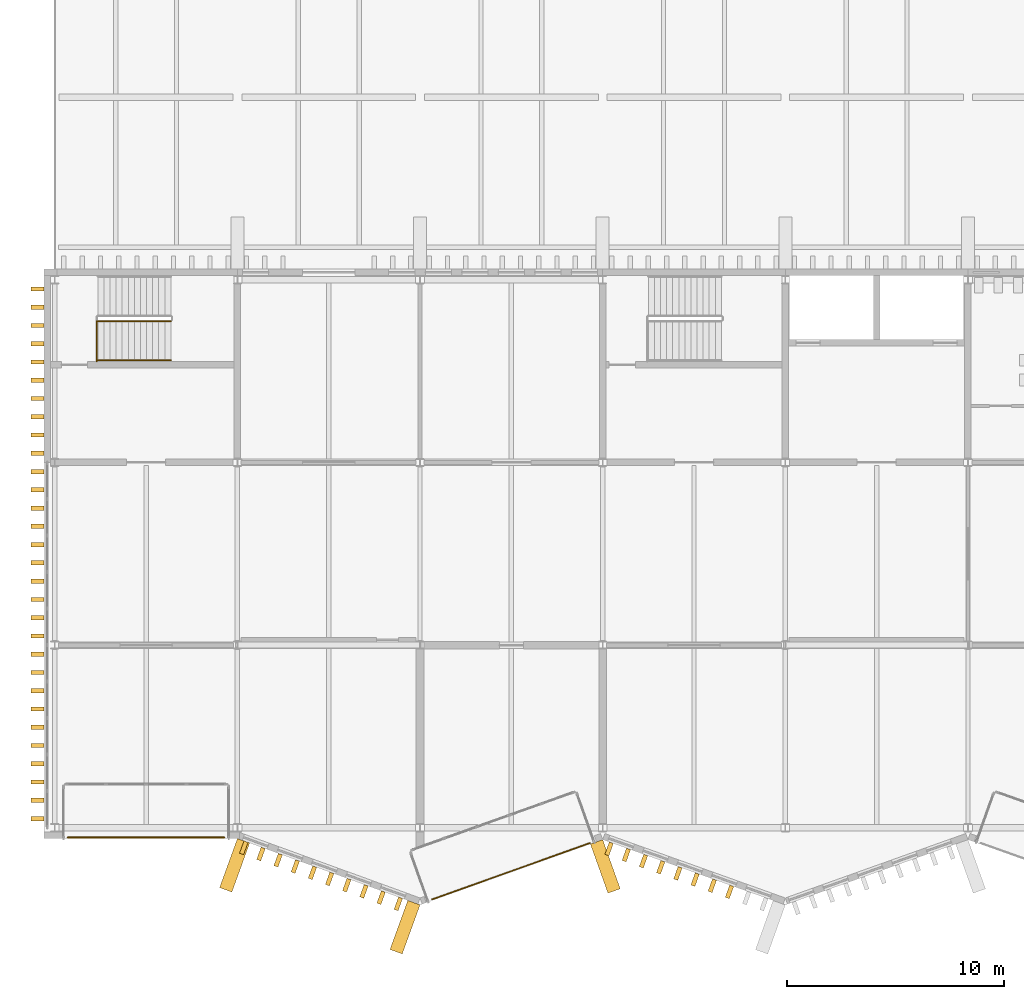
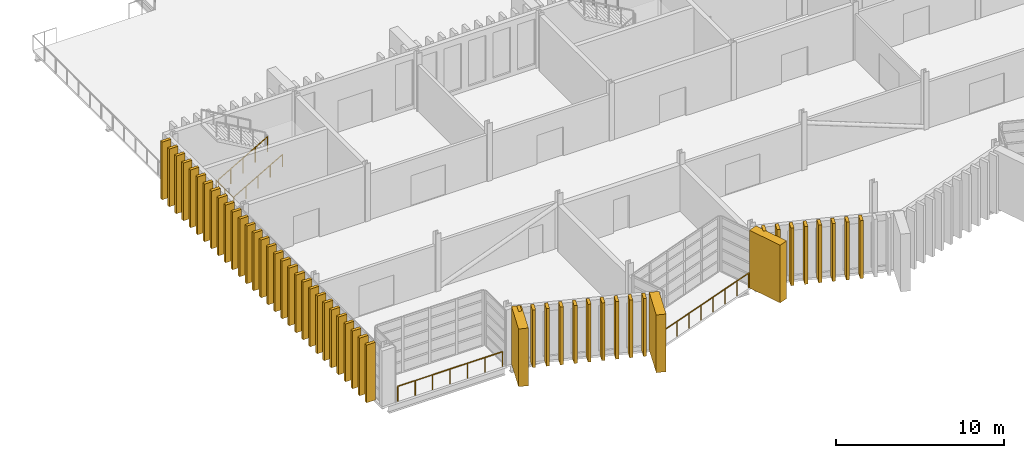
# One storey, part 78 of 96: 51 coverings, 5 railings.
"""IFC4 building model written with IfcOpenShell, lengths in metres."""

from ifc_helpers import new_model, si_unit, direction, frame, origin, origin_2d, place, context, subcontext, project, spatial, rectangle, circle, extrude, material, type_object, element, save


model = new_model("IFC4")

# Units and contexts
model_context = context("Model", 3, precision=1e-05, world=origin(), true_north=direction((0.0, 1.0)))
body_context = subcontext(model_context, "Body", "Model", "MODEL_VIEW")
ifc_project = project(units=[si_unit("LENGTHUNIT", "METRE"), si_unit("AREAUNIT", "SQUARE_METRE"), si_unit("VOLUMEUNIT", "CUBIC_METRE"), si_unit("PLANEANGLEUNIT", "RADIAN"), si_unit("MASSUNIT", "GRAM", prefix="KILO")], contexts=[model_context])

# Site, building, storey
site_placement = place(None, origin())
site = spatial("IfcSite", under=ifc_project, at=site_placement, CompositionType="ELEMENT")
building_placement = place(site_placement, origin())
building = spatial("IfcBuilding", under=site, at=building_placement, Name="Cresset Court Congress Hotel", CompositionType="ELEMENT")
storey_placement = place(building_placement, frame((0.0, 0.0, 6.0)))
storey = spatial("IfcBuildingStorey", under=building, at=storey_placement, Name="L01", CompositionType="ELEMENT", Elevation=6.0)

# Railings
ifc_material_1 = material(Name="Steel and laminated glass", Category="steel")
railing_type_1 = type_object("IfcRailingType", Name="Guard 1100 steel and glass", PredefinedType="GUARDRAIL", material=ifc_material_1)
railing_1_placement = place(storey_placement, frame((10.3798828125, 23.300048828125, 0.16162109375)))
element("IfcRailing", 1, at=railing_1_placement, inside=storey, type_object=railing_type_1, Name="L01 ST-B1 stair guard 1", PredefinedType="GUARDRAIL", context=body_context, shape_type="SweptSolid", body=[
    extrude(circle(Radius=0.02392578125, at=origin_2d()), frame((0.0, 0.0, 1.076171875), z_axis=(0.866190824863, 0.0, 0.499713372768), x_axis=(0.0, 1.0, 0.0)), (0.0, 0.0, 1.0), 3.879150390625),
    extrude(circle(Radius=0.02099609375, at=origin_2d()), origin(), (0.0, 0.0, 1.0), 1.052001953125),
    extrude(circle(Radius=0.02099609375, at=origin_2d()), frame((0.840087890625, 0.0, 0.484619140625)), (0.0, 0.0, 1.0), 1.052001953125),
    extrude(circle(Radius=0.02099609375, at=origin_2d()), frame((1.68017578125, 0.0, 0.96923828125)), (0.0, 0.0, 1.0), 1.052001953125),
    extrude(circle(Radius=0.02099609375, at=origin_2d()), frame((2.52001953125, 0.0, 1.453857421875)), (0.0, 0.0, 1.0), 1.052001953125),
    extrude(circle(Radius=0.02099609375, at=origin_2d()), frame((3.360107421875, 0.0, 1.9384765625)), (0.0, 0.0, 1.0), 1.052001953125),
])
railing_2_placement = place(storey_placement, frame((10.330078125, 21.449951171875, 0.0)))
element("IfcRailing", 2, at=railing_2_placement, inside=storey, type_object=railing_type_1, Name="L01 ST-B1 stair guard 5", PredefinedType="GUARDRAIL", context=body_context, shape_type="SweptSolid", body=[
    extrude(circle(Radius=0.02392578125, at=origin_2d()), frame((0.0, 0.0, 1.076171875), z_axis=(0.0, 1.0, 0.0), x_axis=(-1.0, 0.0, 0.0)), (0.0, 0.0, 1.0), 2.050048828125),
    extrude(circle(Radius=0.02099609375, at=origin_2d()), origin(), (0.0, 0.0, 1.0), 1.052001953125),
    extrude(circle(Radius=0.02099609375, at=origin_2d()), frame((0.0, 1.02490234375, 0.0)), (0.0, 0.0, 1.0), 1.052001953125),
    extrude(circle(Radius=0.02099609375, at=origin_2d()), frame((0.0, 2.050048828125, 0.0)), (0.0, 0.0, 1.0), 1.052001953125),
])
ifc_material_2 = material(Name="Steel and laminated glass", Category="steel")
railing_type_2 = type_object("IfcRailingType", Name="Guard 1100 steel and glass external", PredefinedType="GUARDRAIL", material=ifc_material_2)
railing_3_placement = place(storey_placement, frame((9.0, -0.449951171875, 0.0)))
element("IfcRailing", 3, at=railing_3_placement, inside=storey, type_object=railing_type_2, Name="Guard to recess S0100", PredefinedType="GUARDRAIL", context=body_context, shape_type="SweptSolid", body=[
    extrude(circle(Radius=0.02392578125, at=origin_2d()), frame((0.0, 0.0, 1.076171875), z_axis=(1.0, 0.0, 0.0), x_axis=(0.0, 1.0, 0.0)), (0.0, 0.0, 1.0), 7.199951171875),
    extrude(circle(Radius=0.02099609375, at=origin_2d()), origin(), (0.0, 0.0, 1.0), 1.052001953125),
    extrude(circle(Radius=0.02099609375, at=origin_2d()), frame((1.199951171875, 0.0, 0.0)), (0.0, 0.0, 1.0), 1.052001953125),
    extrude(circle(Radius=0.02099609375, at=origin_2d()), frame((2.39990234375, 0.0, 0.0)), (0.0, 0.0, 1.0), 1.052001953125),
    extrude(circle(Radius=0.02099609375, at=origin_2d()), frame((3.60009765625, 0.0, 0.0)), (0.0, 0.0, 1.0), 1.052001953125),
    extrude(circle(Radius=0.02099609375, at=origin_2d()), frame((4.800048828125, 0.0, 0.0)), (0.0, 0.0, 1.0), 1.052001953125),
    extrude(circle(Radius=0.02099609375, at=origin_2d()), frame((6.0, 0.0, 0.0)), (0.0, 0.0, 1.0), 1.052001953125),
    extrude(circle(Radius=0.02099609375, at=origin_2d()), frame((7.199951171875, 0.0, 0.0)), (0.0, 0.0, 1.0), 1.052001953125),
])
railing_4_placement = place(storey_placement, frame((25.748291015625, -3.301025390625, 0.0)))
element("IfcRailing", 4, at=railing_4_placement, inside=storey, type_object=railing_type_2, Name="Guard to recess S0103", PredefinedType="GUARDRAIL", context=body_context, shape_type="SweptSolid", body=[
    extrude(circle(Radius=0.02392578125, at=origin_2d()), frame((0.0, 0.0, 1.076171875), z_axis=(0.941748351249, 0.336318365422, 0.0), x_axis=(-0.336318365422, 0.941748351249, 0.0)), (0.0, 0.0, 1.0), 7.719482421875),
    extrude(circle(Radius=0.02099609375, at=origin_2d()), origin(), (0.0, 0.0, 1.0), 1.052001953125),
    extrude(circle(Radius=0.02099609375, at=origin_2d()), frame((1.03857421875, 0.370849609375, 0.0)), (0.0, 0.0, 1.0), 1.052001953125),
    extrude(circle(Radius=0.02099609375, at=origin_2d()), frame((2.0771484375, 0.74169921875, 0.0)), (0.0, 0.0, 1.0), 1.052001953125),
    extrude(circle(Radius=0.02099609375, at=origin_2d()), frame((3.11572265625, 1.112548828125, 0.0)), (0.0, 0.0, 1.0), 1.052001953125),
    extrude(circle(Radius=0.02099609375, at=origin_2d()), frame((4.154052734375, 1.483642578125, 0.0)), (0.0, 0.0, 1.0), 1.052001953125),
    extrude(circle(Radius=0.02099609375, at=origin_2d()), frame((5.192626953125, 1.8544921875, 0.0)), (0.0, 0.0, 1.0), 1.052001953125),
    extrude(circle(Radius=0.02099609375, at=origin_2d()), frame((6.231201171875, 2.225341796875, 0.0)), (0.0, 0.0, 1.0), 1.052001953125),
    extrude(circle(Radius=0.02099609375, at=origin_2d()), frame((7.269775390625, 2.59619140625, 0.0)), (0.0, 0.0, 1.0), 1.052001953125),
])
ifc_material_3 = material(Name="Stainless steel", Category="steel")
railing_type_3 = type_object("IfcRailingType", Name="Handrail 48 stainless", PredefinedType="HANDRAIL", material=ifc_material_3)
railing_5_placement = place(storey_placement, frame((10.3798828125, 21.5, 0.16162109375)))
element("IfcRailing", 5, at=railing_5_placement, inside=storey, type_object=railing_type_3, Name="L01 ST-B1 stair handrail 1", PredefinedType="HANDRAIL", context=body_context, shape_type="SweptSolid", body=[
    extrude(circle(Radius=0.02392578125, at=origin_2d()), frame((0.0, 0.0, 0.8759765625), z_axis=(0.866190824863, 0.0, 0.499713372768), x_axis=(0.0, 1.0, 0.0)), (0.0, 0.0, 1.0), 3.879150390625),
    extrude(circle(Radius=0.02099609375, at=origin_2d()), origin(), (0.0, 0.0, 1.0), 0.851806640625),
    extrude(circle(Radius=0.02099609375, at=origin_2d()), frame((0.840087890625, 0.0, 0.484619140625)), (0.0, 0.0, 1.0), 0.851806640625),
    extrude(circle(Radius=0.02099609375, at=origin_2d()), frame((1.68017578125, 0.0, 0.96923828125)), (0.0, 0.0, 1.0), 0.851806640625),
    extrude(circle(Radius=0.02099609375, at=origin_2d()), frame((2.52001953125, 0.0, 1.453857421875)), (0.0, 0.0, 1.0), 0.851806640625),
    extrude(circle(Radius=0.02099609375, at=origin_2d()), frame((3.360107421875, 0.0, 1.9384765625)), (0.0, 0.0, 1.0), 0.851806640625),
])

# Coverings
ifc_material_4 = material(Name="Precast concrete C50", Category="concrete")
covering_type_1 = type_object("IfcCoveringType", Name="Precast stone fin 200x600 variant 1", PredefinedType="CLADDING", material=ifc_material_4)
for number, where, z_axis, x_axis, name in (
    (6, (17.09228515625, -0.92529296875, 0.0), (0.0, 0.0, 1.0), (0.939956783309, -0.341293488819, 0.0), "Fin S01-010"),
    (7, (17.8818359375, -1.2119140625, 0.0), (0.0, 0.0, 1.0), (0.939956783309, -0.341293488819, 0.0), "Fin S01-011"),
    (8, (18.671630859375, -1.498779296875, 0.0), (0.0, 0.0, 1.0), (0.939956783309, -0.341293488819, 0.0), "Fin S01-012"),
    (9, (19.461181640625, -1.785400390625, 0.0), (0.0, 0.0, 1.0), (0.939956783309, -0.341293488819, 0.0), "Fin S01-013"),
    (10, (20.250732421875, -2.072021484375, 0.0), (0.0, 0.0, 1.0), (0.939956783309, -0.341293488819, 0.0), "Fin S01-014"),
    (11, (21.040283203125, -2.358642578125, 0.0), (0.0, 0.0, 1.0), (0.939956783309, -0.341293488819, 0.0), "Fin S01-015"),
    (12, (21.829833984375, -2.6455078125, 0.0), (0.0, 0.0, 1.0), (0.939956783309, -0.341293488819, 0.0), "Fin S01-016"),
    (13, (22.619384765625, -2.93212890625, 0.0), (0.0, 0.0, 1.0), (0.939956783309, -0.341293488819, 0.0), "Fin S01-017"),
    (14, (23.408935546875, -3.21875, 0.0), (0.0, 0.0, 1.0), (0.939956783309, -0.341293488819, 0.0), "Fin S01-018"),
    (15, (24.198486328125, -3.505615234375, 0.0), (0.0, 0.0, 1.0), (0.939956783309, -0.341293488819, 0.0), "Fin S01-019"),
    (16, (33.89453125, -0.973876953125, 0.0), (0.0, 0.0, 1.0), (0.94174205282, -0.336336001568, 0.0), "Fin S01-030"),
    (17, (34.685791015625, -1.25634765625, 0.0), (0.0, 0.0, 1.0), (0.94174205282, -0.336336001568, 0.0), "Fin S01-031"),
    (18, (35.476806640625, -1.538818359375, 0.0), (0.0, 0.0, 1.0), (0.94174205282, -0.336336001568, 0.0), "Fin S01-032"),
    (19, (36.267822265625, -1.8212890625, 0.0), (0.0, 0.0, 1.0), (0.94174205282, -0.336336001568, 0.0), "Fin S01-033"),
    (20, (37.058837890625, -2.103759765625, 0.0), (0.0, 0.0, 1.0), (0.94174205282, -0.336336001568, 0.0), "Fin S01-034"),
    (21, (37.849853515625, -2.386474609375, 0.0), (0.0, 0.0, 1.0), (0.94174205282, -0.336336001568, 0.0), "Fin S01-035"),
    (22, (38.64111328125, -2.6689453125, 0.0), (0.0, 0.0, 1.0), (0.94174205282, -0.336336001568, 0.0), "Fin S01-036"),
    (23, (39.43212890625, -2.951416015625, 0.0), (0.0, 0.0, 1.0), (0.94174205282, -0.336336001568, 0.0), "Fin S01-037"),
):
    element("IfcCovering", number, at=place(storey_placement, frame(where, z_axis=z_axis, x_axis=x_axis)), inside=storey, type_object=covering_type_1, Name=name, PredefinedType="CLADDING", context=body_context, shape_type="SweptSolid", body=[
        extrude(rectangle(XDim=0.199951171875, YDim=0.60009765625, at=origin_2d()), origin(), (0.0, 0.0, 1.0), 4.199951171875),
    ])
for number, where, z_axis, x_axis, name in (
    (24, (7.60009765625, 0.419921875, 0.0), (0.0, 0.0, 1.0), (1.0, 0.0, 0.0), "Fin W01-000"),
    (25, (7.60009765625, 1.260009765625, 0.0), (0.0, 0.0, 1.0), (1.0, 0.0, 0.0), "Fin W01-001"),
    (26, (7.60009765625, 2.10009765625, 0.0), (0.0, 0.0, 1.0), (1.0, 0.0, 0.0), "Fin W01-002"),
    (27, (7.60009765625, 2.93994140625, 0.0), (0.0, 0.0, 1.0), (1.0, 0.0, 0.0), "Fin W01-003"),
    (28, (7.60009765625, 3.780029296875, 0.0), (0.0, 0.0, 1.0), (1.0, 0.0, 0.0), "Fin W01-004"),
    (29, (7.60009765625, 4.6201171875, 0.0), (0.0, 0.0, 1.0), (1.0, 0.0, 0.0), "Fin W01-005"),
    (30, (7.60009765625, 5.4599609375, 0.0), (0.0, 0.0, 1.0), (1.0, 0.0, 0.0), "Fin W01-006"),
    (31, (7.60009765625, 6.300048828125, 0.0), (0.0, 0.0, 1.0), (1.0, 0.0, 0.0), "Fin W01-007"),
    (32, (7.60009765625, 7.139892578125, 0.0), (0.0, 0.0, 1.0), (1.0, 0.0, 0.0), "Fin W01-008"),
    (33, (7.60009765625, 7.97998046875, 0.0), (0.0, 0.0, 1.0), (1.0, 0.0, 0.0), "Fin W01-009"),
    (34, (7.60009765625, 8.820068359375, 0.0), (0.0, 0.0, 1.0), (1.0, 0.0, 0.0), "Fin W01-010"),
    (35, (7.60009765625, 9.659912109375, 0.0), (0.0, 0.0, 1.0), (1.0, 0.0, 0.0), "Fin W01-011"),
    (36, (7.60009765625, 10.5, 0.0), (0.0, 0.0, 1.0), (1.0, 0.0, 0.0), "Fin W01-012"),
    (37, (7.60009765625, 11.340087890625, 0.0), (0.0, 0.0, 1.0), (1.0, 0.0, 0.0), "Fin W01-013"),
    (38, (7.60009765625, 12.179931640625, 0.0), (0.0, 0.0, 1.0), (1.0, 0.0, 0.0), "Fin W01-014"),
    (39, (7.60009765625, 13.02001953125, 0.0), (0.0, 0.0, 1.0), (1.0, 0.0, 0.0), "Fin W01-015"),
    (40, (7.60009765625, 13.860107421875, 0.0), (0.0, 0.0, 1.0), (1.0, 0.0, 0.0), "Fin W01-016"),
    (41, (7.60009765625, 14.699951171875, 0.0), (0.0, 0.0, 1.0), (1.0, 0.0, 0.0), "Fin W01-017"),
    (42, (7.60009765625, 15.5400390625, 0.0), (0.0, 0.0, 1.0), (1.0, 0.0, 0.0), "Fin W01-018"),
    (43, (7.60009765625, 16.3798828125, 0.0), (0.0, 0.0, 1.0), (1.0, 0.0, 0.0), "Fin W01-019"),
    (44, (7.60009765625, 17.219970703125, 0.0), (0.0, 0.0, 1.0), (1.0, 0.0, 0.0), "Fin W01-020"),
    (45, (7.60009765625, 18.06005859375, 0.0), (0.0, 0.0, 1.0), (1.0, 0.0, 0.0), "Fin W01-021"),
    (46, (7.60009765625, 18.89990234375, 0.0), (0.0, 0.0, 1.0), (1.0, 0.0, 0.0), "Fin W01-022"),
    (47, (7.60009765625, 19.739990234375, 0.0), (0.0, 0.0, 1.0), (1.0, 0.0, 0.0), "Fin W01-023"),
    (48, (7.60009765625, 20.580078125, 0.0), (0.0, 0.0, 1.0), (1.0, 0.0, 0.0), "Fin W01-024"),
    (49, (7.60009765625, 21.419921875, 0.0), (0.0, 0.0, 1.0), (1.0, 0.0, 0.0), "Fin W01-025"),
    (50, (7.60009765625, 22.260009765625, 0.0), (0.0, 0.0, 1.0), (1.0, 0.0, 0.0), "Fin W01-026"),
    (51, (7.60009765625, 23.10009765625, 0.0), (0.0, 0.0, 1.0), (1.0, 0.0, 0.0), "Fin W01-027"),
    (52, (7.60009765625, 23.93994140625, 0.0), (0.0, 0.0, 1.0), (1.0, 0.0, 0.0), "Fin W01-028"),
    (53, (7.60009765625, 24.780029296875, 0.0), (0.0, 0.0, 1.0), (1.0, 0.0, 0.0), "Fin W01-029"),
):
    element("IfcCovering", number, at=place(storey_placement, frame(where, z_axis=z_axis, x_axis=x_axis)), inside=storey, type_object=covering_type_1, Name=name, PredefinedType="CLADDING", context=body_context, shape_type="SweptSolid", body=[
        extrude(rectangle(XDim=0.60009765625, YDim=0.199951171875, at=origin_2d()), origin(), (0.0, 0.0, 1.0), 4.199951171875),
    ])
ifc_material_5 = material(Name="Precast concrete C50", Category="concrete")
covering_type_2 = type_object("IfcCoveringType", Name="Precast stone pier 600x2400", PredefinedType="CLADDING", material=ifc_material_5)
for number, where, z_axis, x_axis, name in (
    (54, (24.508544921875, -4.575439453125, 0.0), (0.0, 0.0, 1.0), (0.939956783309, -0.341293488819, 0.0), "Pier S01-02"),
    (55, (16.67236328125, -1.730224609375, 0.0), (0.0, 0.0, 1.0), (0.939956783309, -0.341293488819, 0.0), "Pier S01-01"),
    (56, (33.72119140625, -1.781005859375, 0.0), (0.0, 0.0, 1.0), (0.94174205282, 0.336336001568, 0.0), "Pier S01-03"),
):
    element("IfcCovering", number, at=place(storey_placement, frame(where, z_axis=z_axis, x_axis=x_axis)), inside=storey, type_object=covering_type_2, Name=name, PredefinedType="CLADDING", context=body_context, shape_type="SweptSolid", body=[
        extrude(rectangle(XDim=0.60009765625, YDim=2.39990234375, at=origin_2d()), origin(), (0.0, 0.0, 1.0), 4.199951171875),
    ])

save(model, "model.ifc")
